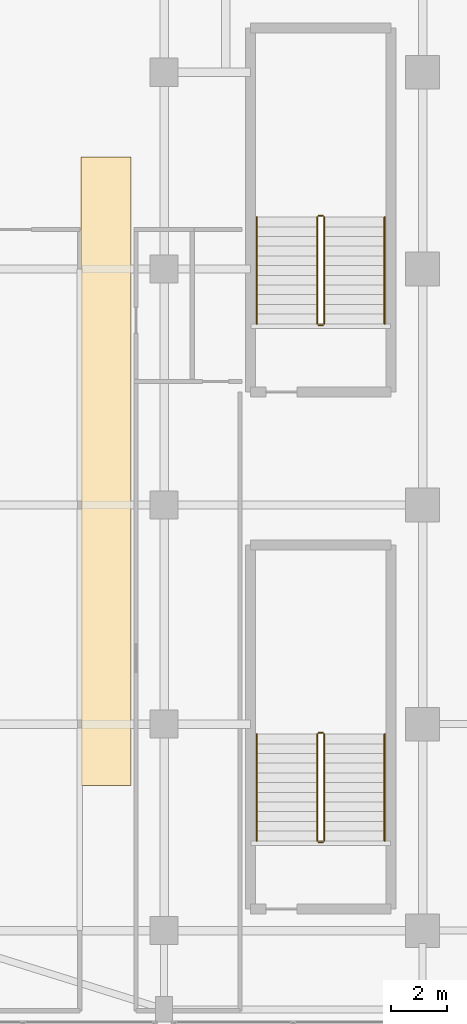
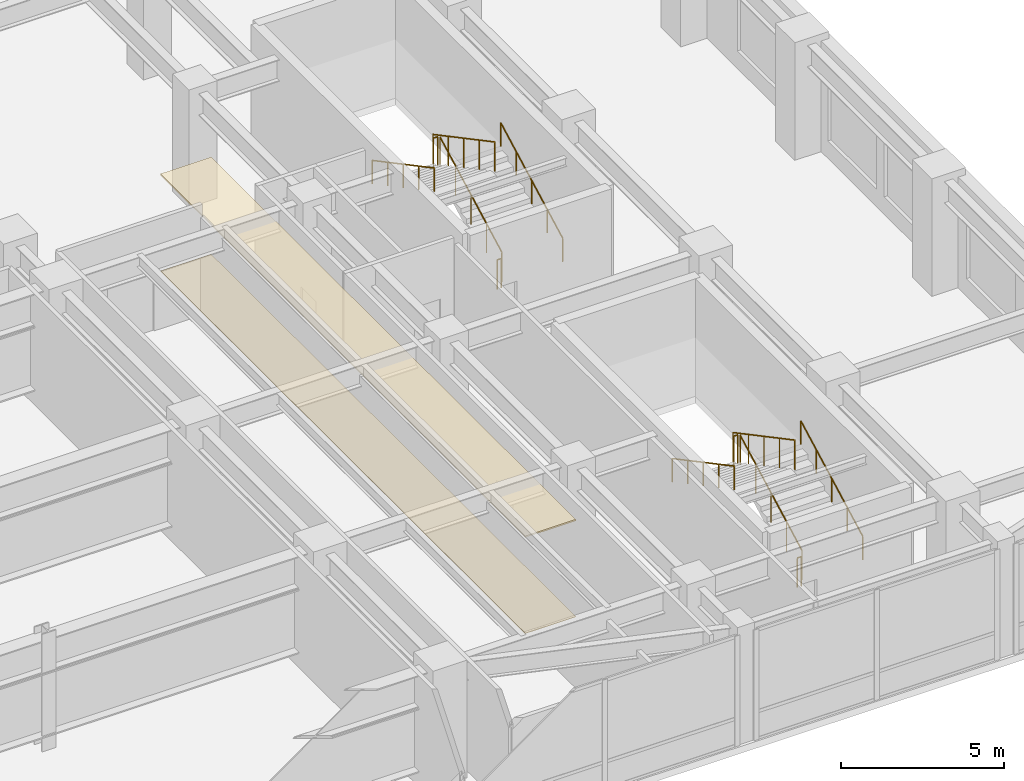
# One storey, part 23 of 27: 12 railings, 2 coverings.
"""IFC4 building model written with IfcOpenShell, lengths in metres."""

from ifc_helpers import new_model, si_unit, direction, frame, origin, origin_2d, place, context, subcontext, project, spatial, polyline, circle, outline, extrude, material, layer, layer_set, type_object, element, save


model = new_model("IFC4")

# Units and contexts
model_context = context("Model", 3, precision=1e-05, world=origin(), true_north=direction((0.0, 1.0)))
body_context = subcontext(model_context, "Body", "Model", "MODEL_VIEW")
ifc_project = project(units=[si_unit("LENGTHUNIT", "METRE"), si_unit("AREAUNIT", "SQUARE_METRE"), si_unit("VOLUMEUNIT", "CUBIC_METRE"), si_unit("PLANEANGLEUNIT", "RADIAN"), si_unit("MASSUNIT", "GRAM", prefix="KILO")], contexts=[model_context])

# Site, building, storey
site_placement = place(None, origin())
site = spatial("IfcSite", under=ifc_project, at=site_placement, CompositionType="ELEMENT")
building_placement = place(site_placement, origin())
building = spatial("IfcBuilding", under=site, at=building_placement, Name="Tolvann Quenvar Hotel", CompositionType="ELEMENT")
storey_placement = place(building_placement, frame((0.0, 0.0, 22.39990234375)))
storey = spatial("IfcBuildingStorey", under=building, at=storey_placement, Name="L04", CompositionType="ELEMENT", Elevation=22.39990234375)

# Coverings
ifc_material_1 = material(Name="Micro-perforated acoustic mineral-fibre and timber-batten suspended ceiling", Category="wood")
ifc_layer_1 = layer(ifc_material_1, 0.054931640625)
ifc_layer_set_1 = layer_set([ifc_layer_1], Name="Micro-perforated acoustic mineral-fibre and timber-batten suspended ceiling")
covering_type_1 = type_object("IfcCoveringType", Name="COV_CEIL_TIMBER_55", PredefinedType="CEILING", material=ifc_layer_set_1)
covering_1_placement = place(storey_placement, frame((0.0, 0.0, 3.60009765625)))
element("IfcCovering", 1, at=covering_1_placement, inside=storey, type_object=covering_type_1, Name="Suspended Acoustic Ceiling (East Podium Corridor L04)", PredefinedType="CEILING", context=body_context, shape_type="SweptSolid", body=[
    extrude(outline(polyline([(44.239990234375, 6.02001953125), (46.030029296875, 6.02001953125), (46.030029296875, 28.3798828125), (44.239990234375, 28.3798828125), (44.239990234375, 6.02001953125)])), origin(), (0.0, 0.0, 1.0), 0.054931640625),
])
ifc_material_2 = material(Name="Honed Australian bluestone, terrazzo and engineered oak flooring", Category="masonry")
ifc_layer_2 = layer(ifc_material_2, 0.02001953125)
ifc_layer_set_2 = layer_set([ifc_layer_2], Name="Honed Australian bluestone, terrazzo and engineered oak flooring")
covering_type_2 = type_object("IfcCoveringType", Name="COV_FLOOR_STONE_20", PredefinedType="FLOORING", material=ifc_layer_set_2)
covering_2_placement = place(storey_placement, origin())
element("IfcCovering", 2, at=covering_2_placement, inside=storey, type_object=covering_type_2, Name="Architectural Floor Finish (East Podium Corridor L04)", PredefinedType="FLOORING", context=body_context, shape_type="SweptSolid", body=[
    extrude(outline(polyline([(44.239990234375, 6.02001953125), (46.030029296875, 6.02001953125), (46.030029296875, 28.3798828125), (44.239990234375, 28.3798828125), (44.239990234375, 6.02001953125)])), origin(), (0.0, 0.0, 1.0), 0.02001953125),
])

# Railings
ifc_material_3 = material(Name="Brushed 316 stainless steel balustrade and handrail", Category="steel")
railing_type_1 = type_object("IfcRailingType", Name="GUARDRAIL", PredefinedType="GUARDRAIL", material=ifc_material_3)
railing_1_placement = place(storey_placement, frame((52.89990234375, 4.050048828125, 0.183349609375)))
element("IfcRailing", 3, at=railing_1_placement, inside=storey, type_object=railing_type_1, Name="L04 ST-P3 stair guard 1", PredefinedType="GUARDRAIL", context=body_context, shape_type="SweptSolid", body=[
    extrude(circle(Radius=0.02392578125, at=origin_2d()), frame((0.0, 0.0, 1.09619140625), z_axis=(0.0, 0.883039212421, 0.469299210873), x_axis=(-1.0, 0.0, 0.0)), (0.0, 0.0, 1.0), 4.297607421875),
    extrude(circle(Radius=0.02099609375, at=origin_2d()), origin(), (0.0, 0.0, 1.0), 1.072021484375),
    extrude(circle(Radius=0.02099609375, at=origin_2d()), frame((0.0, 0.94873046875, 0.504150390625)), (0.0, 0.0, 1.0), 1.072021484375),
    extrude(circle(Radius=0.02099609375, at=origin_2d()), frame((0.0, 1.8974609375, 1.00830078125)), (0.0, 0.0, 1.0), 1.072021484375),
    extrude(circle(Radius=0.02099609375, at=origin_2d()), frame((0.0, 2.84619140625, 1.5126953125)), (0.0, 0.0, 1.0), 1.072021484375),
    extrude(circle(Radius=0.02099609375, at=origin_2d()), frame((0.0, 3.794921875, 2.016845703125)), (0.0, 0.0, 1.0), 1.072021484375),
])
railing_2_placement = place(storey_placement, frame((52.85009765625, 7.89501953125, 2.2001953125)))
element("IfcRailing", 4, at=railing_2_placement, inside=storey, type_object=railing_type_1, Name="L04 ST-P3 stair guard 2", PredefinedType="GUARDRAIL", context=body_context, shape_type="SweptSolid", body=[
    extrude(circle(Radius=0.02392578125, at=origin_2d()), frame((0.0, 0.0, 1.09619140625), z_axis=(-1.0, 0.0, 0.0), x_axis=(0.0, -1.0, 0.0)), (0.0, 0.0, 1.0), 0.150146484375),
    extrude(circle(Radius=0.02099609375, at=origin_2d()), origin(), (0.0, 0.0, 1.0), 1.072021484375),
    extrude(circle(Radius=0.02099609375, at=origin_2d()), frame((-0.150146484375, 0.0, 0.0)), (0.0, 0.0, 1.0), 1.072021484375),
])
railing_3_placement = place(storey_placement, frame((52.64990234375, 7.844970703125, 2.383544921875)))
element("IfcRailing", 5, at=railing_3_placement, inside=storey, type_object=railing_type_1, Name="L04 ST-P3 stair guard 3", PredefinedType="GUARDRAIL", context=body_context, shape_type="SweptSolid", body=[
    extrude(circle(Radius=0.02392578125, at=origin_2d()), frame((0.0, 0.0, 1.09619140625), z_axis=(0.0, -0.883062754136, 0.469254911809), x_axis=(1.0, 0.0, 0.0)), (0.0, 0.0, 1.0), 4.29736328125),
    extrude(circle(Radius=0.02099609375, at=origin_2d()), origin(), (0.0, 0.0, 1.0), 1.072021484375),
    extrude(circle(Radius=0.02099609375, at=origin_2d()), frame((0.0, -0.94873046875, 0.504150390625)), (0.0, 0.0, 1.0), 1.072021484375),
    extrude(circle(Radius=0.02099609375, at=origin_2d()), frame((0.0, -1.8974609375, 1.00830078125)), (0.0, 0.0, 1.0), 1.072021484375),
    extrude(circle(Radius=0.02099609375, at=origin_2d()), frame((0.0, -2.84619140625, 1.512451171875)), (0.0, 0.0, 1.0), 1.072021484375),
    extrude(circle(Radius=0.02099609375, at=origin_2d()), frame((0.0, -3.794921875, 2.0166015625)), (0.0, 0.0, 1.0), 1.072021484375),
])
railing_4_placement = place(storey_placement, frame((52.85009765625, 4.0, 0.0)))
element("IfcRailing", 6, at=railing_4_placement, inside=storey, type_object=railing_type_1, Name="L04 ST-P3 stair guard 4", PredefinedType="GUARDRAIL", context=body_context, shape_type="SweptSolid", body=[
    extrude(circle(Radius=0.02392578125, at=origin_2d()), frame((0.0, 0.0, 1.09619140625), z_axis=(-1.0, 0.0, 0.0), x_axis=(0.0, -1.0, 0.0)), (0.0, 0.0, 1.0), 0.150146484375),
    extrude(circle(Radius=0.02099609375, at=origin_2d()), origin(), (0.0, 0.0, 1.0), 1.072021484375),
    extrude(circle(Radius=0.02099609375, at=origin_2d()), frame((-0.150146484375, 0.0, 0.0)), (0.0, 0.0, 1.0), 1.072021484375),
])
railing_5_placement = place(storey_placement, frame((52.89990234375, 22.449951171875, 0.183349609375)))
element("IfcRailing", 7, at=railing_5_placement, inside=storey, type_object=railing_type_1, Name="L04 ST-P4 stair guard 1", PredefinedType="GUARDRAIL", context=body_context, shape_type="SweptSolid", body=[
    extrude(circle(Radius=0.02392578125, at=origin_2d()), frame((0.0, 0.0, 1.09619140625), z_axis=(0.0, 0.883051723195, 0.469275669689), x_axis=(-1.0, 0.0, 0.0)), (0.0, 0.0, 1.0), 4.2978515625),
    extrude(circle(Radius=0.02099609375, at=origin_2d()), origin(), (0.0, 0.0, 1.0), 1.072021484375),
    extrude(circle(Radius=0.02099609375, at=origin_2d()), frame((0.0, 0.94873046875, 0.504150390625)), (0.0, 0.0, 1.0), 1.072021484375),
    extrude(circle(Radius=0.02099609375, at=origin_2d()), frame((0.0, 1.8974609375, 1.00830078125)), (0.0, 0.0, 1.0), 1.072021484375),
    extrude(circle(Radius=0.02099609375, at=origin_2d()), frame((0.0, 2.846435546875, 1.5126953125)), (0.0, 0.0, 1.0), 1.072021484375),
    extrude(circle(Radius=0.02099609375, at=origin_2d()), frame((0.0, 3.795166015625, 2.016845703125)), (0.0, 0.0, 1.0), 1.072021484375),
])
railing_6_placement = place(storey_placement, frame((52.85009765625, 26.294921875, 2.2001953125)))
element("IfcRailing", 8, at=railing_6_placement, inside=storey, type_object=railing_type_1, Name="L04 ST-P4 stair guard 2", PredefinedType="GUARDRAIL", context=body_context, shape_type="SweptSolid", body=[
    extrude(circle(Radius=0.02392578125, at=origin_2d()), frame((0.0, 0.0, 1.09619140625), z_axis=(-1.0, 0.0, 0.0), x_axis=(0.0, -1.0, 0.0)), (0.0, 0.0, 1.0), 0.150146484375),
    extrude(circle(Radius=0.02099609375, at=origin_2d()), origin(), (0.0, 0.0, 1.0), 1.072021484375),
    extrude(circle(Radius=0.02099609375, at=origin_2d()), frame((-0.150146484375, 0.0, 0.0)), (0.0, 0.0, 1.0), 1.072021484375),
])
railing_7_placement = place(storey_placement, frame((52.64990234375, 26.2451171875, 2.383544921875)))
element("IfcRailing", 9, at=railing_7_placement, inside=storey, type_object=railing_type_1, Name="L04 ST-P4 stair guard 3", PredefinedType="GUARDRAIL", context=body_context, shape_type="SweptSolid", body=[
    extrude(circle(Radius=0.02392578125, at=origin_2d()), frame((0.0, 0.0, 1.09619140625), z_axis=(0.0, -0.883075262882, 0.469231371592), x_axis=(1.0, 0.0, 0.0)), (0.0, 0.0, 1.0), 4.297607421875),
    extrude(circle(Radius=0.02099609375, at=origin_2d()), origin(), (0.0, 0.0, 1.0), 1.072021484375),
    extrude(circle(Radius=0.02099609375, at=origin_2d()), frame((0.0, -0.94873046875, 0.504150390625)), (0.0, 0.0, 1.0), 1.072021484375),
    extrude(circle(Radius=0.02099609375, at=origin_2d()), frame((0.0, -1.8974609375, 1.00830078125)), (0.0, 0.0, 1.0), 1.072021484375),
    extrude(circle(Radius=0.02099609375, at=origin_2d()), frame((0.0, -2.846435546875, 1.512451171875)), (0.0, 0.0, 1.0), 1.072021484375),
    extrude(circle(Radius=0.02099609375, at=origin_2d()), frame((0.0, -3.795166015625, 2.0166015625)), (0.0, 0.0, 1.0), 1.072021484375),
])
railing_8_placement = place(storey_placement, frame((52.85009765625, 22.39990234375, 0.0)))
element("IfcRailing", 10, at=railing_8_placement, inside=storey, type_object=railing_type_1, Name="L04 ST-P4 stair guard 4", PredefinedType="GUARDRAIL", context=body_context, shape_type="SweptSolid", body=[
    extrude(circle(Radius=0.02392578125, at=origin_2d()), frame((0.0, 0.0, 1.09619140625), z_axis=(-1.0, 0.0, 0.0), x_axis=(0.0, -1.0, 0.0)), (0.0, 0.0, 1.0), 0.150146484375),
    extrude(circle(Radius=0.02099609375, at=origin_2d()), origin(), (0.0, 0.0, 1.0), 1.072021484375),
    extrude(circle(Radius=0.02099609375, at=origin_2d()), frame((-0.150146484375, 0.0, 0.0)), (0.0, 0.0, 1.0), 1.072021484375),
])
railing_type_2 = type_object("IfcRailingType", Name="HANDRAIL", PredefinedType="HANDRAIL", material=ifc_material_3)
railing_9_placement = place(storey_placement, frame((55.050048828125, 4.050048828125, 0.183349609375)))
element("IfcRailing", 11, at=railing_9_placement, inside=storey, type_object=railing_type_2, Name="L04 ST-P3 stair handrail 1", PredefinedType="HANDRAIL", context=body_context, shape_type="SweptSolid", body=[
    extrude(circle(Radius=0.02392578125, at=origin_2d()), frame((0.0, 0.0, 0.8759765625), z_axis=(0.0, 0.883039212421, 0.469299210873), x_axis=(-1.0, 0.0, 0.0)), (0.0, 0.0, 1.0), 4.297607421875),
    extrude(circle(Radius=0.02099609375, at=origin_2d()), origin(), (0.0, 0.0, 1.0), 0.851806640625),
    extrude(circle(Radius=0.02099609375, at=origin_2d()), frame((0.0, 0.94873046875, 0.504150390625)), (0.0, 0.0, 1.0), 0.851806640625),
    extrude(circle(Radius=0.02099609375, at=origin_2d()), frame((0.0, 1.8974609375, 1.00830078125)), (0.0, 0.0, 1.0), 0.851806640625),
    extrude(circle(Radius=0.02099609375, at=origin_2d()), frame((0.0, 2.84619140625, 1.5126953125)), (0.0, 0.0, 1.0), 0.851806640625),
    extrude(circle(Radius=0.02099609375, at=origin_2d()), frame((0.0, 3.794921875, 2.016845703125)), (0.0, 0.0, 1.0), 0.851806640625),
])
railing_10_placement = place(storey_placement, frame((50.5, 7.844970703125, 2.383544921875)))
element("IfcRailing", 12, at=railing_10_placement, inside=storey, type_object=railing_type_2, Name="L04 ST-P3 stair handrail 2", PredefinedType="HANDRAIL", context=body_context, shape_type="SweptSolid", body=[
    extrude(circle(Radius=0.02392578125, at=origin_2d()), frame((0.0, 0.0, 0.8759765625), z_axis=(0.0, -0.883062754136, 0.469254911809), x_axis=(1.0, 0.0, 0.0)), (0.0, 0.0, 1.0), 4.29736328125),
    extrude(circle(Radius=0.02099609375, at=origin_2d()), origin(), (0.0, 0.0, 1.0), 0.851806640625),
    extrude(circle(Radius=0.02099609375, at=origin_2d()), frame((0.0, -0.94873046875, 0.504150390625)), (0.0, 0.0, 1.0), 0.851806640625),
    extrude(circle(Radius=0.02099609375, at=origin_2d()), frame((0.0, -1.8974609375, 1.00830078125)), (0.0, 0.0, 1.0), 0.851806640625),
    extrude(circle(Radius=0.02099609375, at=origin_2d()), frame((0.0, -2.84619140625, 1.512451171875)), (0.0, 0.0, 1.0), 0.851806640625),
    extrude(circle(Radius=0.02099609375, at=origin_2d()), frame((0.0, -3.794921875, 2.0166015625)), (0.0, 0.0, 1.0), 0.851806640625),
])
railing_11_placement = place(storey_placement, frame((55.050048828125, 22.449951171875, 0.183349609375)))
element("IfcRailing", 13, at=railing_11_placement, inside=storey, type_object=railing_type_2, Name="L04 ST-P4 stair handrail 1", PredefinedType="HANDRAIL", context=body_context, shape_type="SweptSolid", body=[
    extrude(circle(Radius=0.02392578125, at=origin_2d()), frame((0.0, 0.0, 0.8759765625), z_axis=(0.0, 0.883051723195, 0.469275669689), x_axis=(-1.0, 0.0, 0.0)), (0.0, 0.0, 1.0), 4.2978515625),
    extrude(circle(Radius=0.02099609375, at=origin_2d()), origin(), (0.0, 0.0, 1.0), 0.851806640625),
    extrude(circle(Radius=0.02099609375, at=origin_2d()), frame((0.0, 0.94873046875, 0.504150390625)), (0.0, 0.0, 1.0), 0.851806640625),
    extrude(circle(Radius=0.02099609375, at=origin_2d()), frame((0.0, 1.8974609375, 1.00830078125)), (0.0, 0.0, 1.0), 0.851806640625),
    extrude(circle(Radius=0.02099609375, at=origin_2d()), frame((0.0, 2.846435546875, 1.5126953125)), (0.0, 0.0, 1.0), 0.851806640625),
    extrude(circle(Radius=0.02099609375, at=origin_2d()), frame((0.0, 3.795166015625, 2.016845703125)), (0.0, 0.0, 1.0), 0.851806640625),
])
railing_12_placement = place(storey_placement, frame((50.5, 26.2451171875, 2.383544921875)))
element("IfcRailing", 14, at=railing_12_placement, inside=storey, type_object=railing_type_2, Name="L04 ST-P4 stair handrail 2", PredefinedType="HANDRAIL", context=body_context, shape_type="SweptSolid", body=[
    extrude(circle(Radius=0.02392578125, at=origin_2d()), frame((0.0, 0.0, 0.8759765625), z_axis=(0.0, -0.883075262882, 0.469231371592), x_axis=(1.0, 0.0, 0.0)), (0.0, 0.0, 1.0), 4.297607421875),
    extrude(circle(Radius=0.02099609375, at=origin_2d()), origin(), (0.0, 0.0, 1.0), 0.851806640625),
    extrude(circle(Radius=0.02099609375, at=origin_2d()), frame((0.0, -0.94873046875, 0.504150390625)), (0.0, 0.0, 1.0), 0.851806640625),
    extrude(circle(Radius=0.02099609375, at=origin_2d()), frame((0.0, -1.8974609375, 1.00830078125)), (0.0, 0.0, 1.0), 0.851806640625),
    extrude(circle(Radius=0.02099609375, at=origin_2d()), frame((0.0, -2.846435546875, 1.512451171875)), (0.0, 0.0, 1.0), 0.851806640625),
    extrude(circle(Radius=0.02099609375, at=origin_2d()), frame((0.0, -3.795166015625, 2.0166015625)), (0.0, 0.0, 1.0), 0.851806640625),
])

save(model, "model.ifc")
